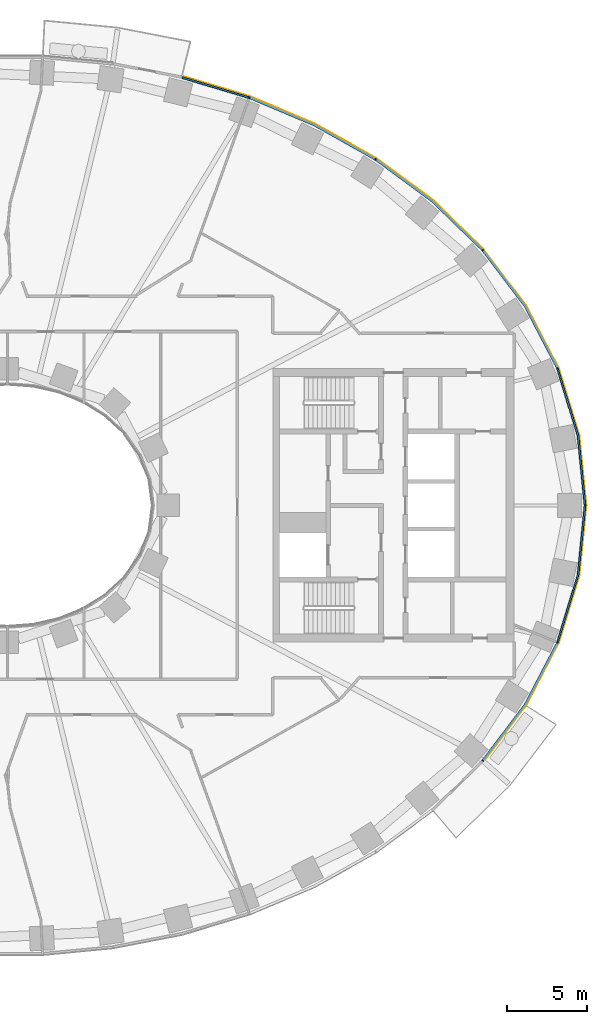
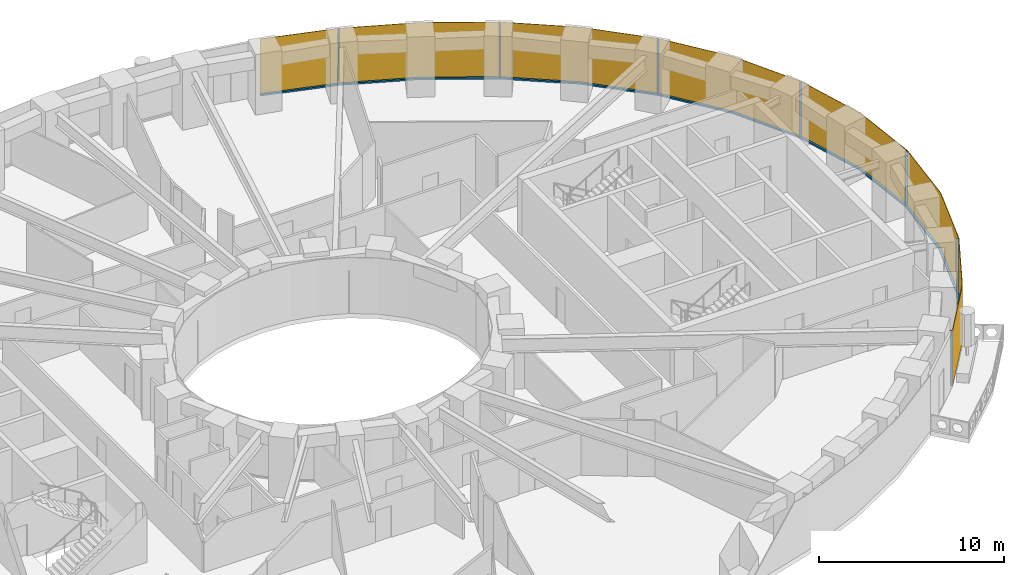
# One storey, part 13 of 16: 14 members, 1 curtain wall.
"""IFC4 building model written with IfcOpenShell, lengths in metres."""

from ifc_helpers import new_model, si_unit, direction, frame, origin, origin_2d, place, context, subcontext, project, spatial, polyline, rectangle, outline, extrude, material, layer, layer_set, material_profile, profile_set, type_object, element, aggregate, save


model = new_model("IFC4")

# Units and contexts
model_context = context("Model", 3, precision=1e-05, world=origin(), true_north=direction((0.0, 1.0)))
body_context = subcontext(model_context, "Body", "Model", "MODEL_VIEW")
ifc_project = project(units=[si_unit("LENGTHUNIT", "METRE"), si_unit("AREAUNIT", "SQUARE_METRE"), si_unit("VOLUMEUNIT", "CUBIC_METRE"), si_unit("PLANEANGLEUNIT", "RADIAN"), si_unit("MASSUNIT", "GRAM", prefix="KILO")], contexts=[model_context])

# Member
ifc_material_1 = material(Name="Aluminium 6063-T6 black anodised", Category="aluminium")
ifc_material_profile = material_profile(ifc_material_1, rectangle(XDim=0.1201171875, YDim=0.06005859375, at=origin_2d()), Name="120x60")
ifc_profile_set = profile_set([ifc_material_profile], Name="Aluminium 6063-T6 black anodised")
member_type_1 = type_object("IfcMemberType", Name="ENV-MULLION-A-120", PredefinedType="MULLION", material=ifc_profile_set)
site_placement = place(None, origin())
building_placement = place(site_placement, origin())
storey_placement = place(building_placement, frame((0.0, 0.0, 46.5)))
member_1_placement = place(storey_placement, frame((29.53857421875, -15.8671875, 0.0), z_axis=(0.0, 0.0, 1.0), x_axis=(-0.749047221705, 0.662516610853, 0.0)))
member_1 = element("IfcMember", 1, at=member_1_placement, type_object=member_type_1, Name="Mullion A radial 43", PredefinedType="MULLION", context=body_context, shape_type="SweptSolid", body=[
    extrude(rectangle(XDim=0.1201171875, YDim=0.06005859375, at=origin_2d()), origin(), (0.0, 0.0, 1.0), 3.699951171875),
])

member_2_placement = place(storey_placement, frame((34.19580078125, -8.513916015625, 0.0), z_axis=(0.0, 0.0, 1.0), x_axis=(-0.92546738067, 0.378827305398, 0.0)))
member_2 = element("IfcMember", 2, at=member_2_placement, type_object=member_type_1, Name="Mullion A radial 45", PredefinedType="MULLION", context=body_context, shape_type="SweptSolid", body=[
    extrude(rectangle(XDim=0.1201171875, YDim=0.06005859375, at=origin_2d()), origin(), (0.0, 0.0, 1.0), 3.699951171875),
])

member_3_placement = place(storey_placement, frame((35.907958984375, 0.0, 0.0), z_axis=(0.0, 0.0, 1.0), x_axis=(-1.0, 0.0, 0.0)))
member_3 = element("IfcMember", 3, at=member_3_placement, type_object=member_type_1, Name="Mullion A radial 01", PredefinedType="MULLION", context=body_context, shape_type="SweptSolid", body=[
    extrude(rectangle(XDim=0.1201171875, YDim=0.06005859375, at=origin_2d()), origin(), (0.0, 0.0, 1.0), 3.699951171875),
])

member_4_placement = place(storey_placement, frame((34.19580078125, 8.513916015625, 0.0), z_axis=(0.0, 0.0, 1.0), x_axis=(-0.92546738067, -0.378827305398, 0.0)))
member_4 = element("IfcMember", 4, at=member_4_placement, type_object=member_type_1, Name="Mullion A radial 03", PredefinedType="MULLION", context=body_context, shape_type="SweptSolid", body=[
    extrude(rectangle(XDim=0.1201171875, YDim=0.06005859375, at=origin_2d()), origin(), (0.0, 0.0, 1.0), 3.699951171875),
])

member_5_placement = place(storey_placement, frame((29.53857421875, 15.8671875, 0.0), z_axis=(0.0, 0.0, 1.0), x_axis=(-0.749047221705, -0.662516610853, 0.0)))
member_5 = element("IfcMember", 5, at=member_5_placement, type_object=member_type_1, Name="Mullion A radial 05", PredefinedType="MULLION", context=body_context, shape_type="SweptSolid", body=[
    extrude(rectangle(XDim=0.1201171875, YDim=0.06005859375, at=origin_2d()), origin(), (0.0, 0.0, 1.0), 3.699951171875),
])

member_6_placement = place(storey_placement, frame((22.882568359375, 21.506591796875, 0.0), z_axis=(0.0, 0.0, 1.0), x_axis=(-0.542279153225, -0.840198381323, 0.0)))
member_6 = element("IfcMember", 6, at=member_6_placement, type_object=member_type_1, Name="Mullion A radial 07", PredefinedType="MULLION", context=body_context, shape_type="SweptSolid", body=[
    extrude(rectangle(XDim=0.1201171875, YDim=0.06005859375, at=origin_2d()), origin(), (0.0, 0.0, 1.0), 3.699951171875),
])

member_7_placement = place(storey_placement, frame((15.0341796875, 25.34375, 0.0), z_axis=(0.0, 0.0, 1.0), x_axis=(-0.338379256581, -0.941009818608, 0.0)))
member_7 = element("IfcMember", 7, at=member_7_placement, type_object=member_type_1, Name="Mullion A radial 09", PredefinedType="MULLION", context=body_context, shape_type="SweptSolid", body=[
    extrude(rectangle(XDim=0.1201171875, YDim=0.06005859375, at=origin_2d()), origin(), (0.0, 0.0, 1.0), 3.699951171875),
])

ifc_material_2 = material(Name="Aluminium 6063-T6 black anodised", Category="aluminium")
member_type_2 = type_object("IfcMemberType", Name="ENV-TRANSOM-A", PredefinedType="USERDEFINED", material=ifc_material_2)
member_8_placement = place(storey_placement, origin())
member_8 = element("IfcMember", 8, at=member_8_placement, type_object=member_type_2, Name="Transom A radial 43-45", ObjectType="TRANSOM", PredefinedType="USERDEFINED", context=body_context, shape_type="SweptSolid", body=[
    extrude(outline(polyline([(29.6005859375, -15.884521484375), (32.22802734375, -12.41748046875), (34.23828125, -8.5615234375), (34.126708984375, -8.515869140625), (32.126220703125, -12.35302734375), (29.51025390625, -15.8046875), (29.6005859375, -15.884521484375)])), origin(), (0.0, 0.0, 1.0), 0.10009765625),
])

member_9_placement = place(storey_placement, origin())
member_9 = element("IfcMember", 9, at=member_9_placement, type_object=member_type_2, Name="Transom A radial 45-01", ObjectType="TRANSOM", PredefinedType="USERDEFINED", context=body_context, shape_type="SweptSolid", body=[
    extrude(outline(polyline([(34.259521484375, -8.509765625), (35.529541015625, -4.352294921875), (35.965087890625, -0.02783203125), (35.844482421875, -0.02783203125), (35.411376953125, -4.32861328125), (34.14794921875, -8.464111328125), (34.259521484375, -8.509765625)])), origin(), (0.0, 0.0, 1.0), 0.10009765625),
])

member_10_placement = place(storey_placement, origin())
member_10 = element("IfcMember", 10, at=member_10_placement, type_object=member_type_2, Name="Transom A radial 01-03", ObjectType="TRANSOM", PredefinedType="USERDEFINED", context=body_context, shape_type="SweptSolid", body=[
    extrude(outline(polyline([(35.965087890625, 0.02783203125), (35.529541015625, 4.352294921875), (34.259521484375, 8.509765625), (34.14794921875, 8.464111328125), (35.411376953125, 4.32861328125), (35.844482421875, 0.02783203125), (35.965087890625, 0.02783203125)])), origin(), (0.0, 0.0, 1.0), 0.10009765625),
])

member_11_placement = place(storey_placement, origin())
member_11 = element("IfcMember", 11, at=member_11_placement, type_object=member_type_2, Name="Transom A radial 03-05", ObjectType="TRANSOM", PredefinedType="USERDEFINED", context=body_context, shape_type="SweptSolid", body=[
    extrude(outline(polyline([(34.23828125, 8.5615234375), (32.22802734375, 12.41748046875), (29.6005859375, 15.884521484375), (29.51025390625, 15.8046875), (32.126220703125, 12.35302734375), (34.126708984375, 8.515869140625), (34.23828125, 8.5615234375)])), origin(), (0.0, 0.0, 1.0), 0.10009765625),
])

member_12_placement = place(storey_placement, origin())
member_12 = element("IfcMember", 12, at=member_12_placement, type_object=member_type_2, Name="Transom A radial 05-07", ObjectType="TRANSOM", PredefinedType="USERDEFINED", context=body_context, shape_type="SweptSolid", body=[
    extrude(outline(polyline([(29.5634765625, 15.926513671875), (26.4423828125, 18.958740234375), (22.937744140625, 21.540283203125), (22.87255859375, 21.439208984375), (26.364501953125, 18.866943359375), (29.473388671875, 15.8466796875), (29.5634765625, 15.926513671875)])), origin(), (0.0, 0.0, 1.0), 0.10009765625),
])

member_13_placement = place(storey_placement, origin())
member_13 = element("IfcMember", 13, at=member_13_placement, type_object=member_type_2, Name="Transom A radial 07-09", ObjectType="TRANSOM", PredefinedType="USERDEFINED", context=body_context, shape_type="SweptSolid", body=[
    extrude(outline(polyline([(22.890625, 21.570556640625), (19.093994140625, 23.701416015625), (15.080322265625, 25.389404296875), (15.03955078125, 25.276123046875), (19.041259765625, 23.593505859375), (22.825439453125, 21.469482421875), (22.890625, 21.570556640625)])), origin(), (0.0, 0.0, 1.0), 0.10009765625),
])

member_14_placement = place(storey_placement, origin())
member_14 = element("IfcMember", 14, at=member_14_placement, type_object=member_type_2, Name="Transom A radial 09-10", ObjectType="TRANSOM", PredefinedType="USERDEFINED", context=body_context, shape_type="SweptSolid", body=[
    extrude(outline(polyline([(15.027587890625, 25.408203125), (10.876708984375, 26.657470703125), (10.847900390625, 26.540771484375), (14.987060546875, 25.295166015625), (15.027587890625, 25.408203125)])), origin(), (0.0, 0.0, 1.0), 0.10009765625),
])

# Site, building, storey
site = spatial("IfcSite", under=ifc_project, at=site_placement, CompositionType="ELEMENT")
building = spatial("IfcBuilding", under=site, at=building_placement, Name="Noorbagh Ring Tower", CompositionType="ELEMENT")
storey = spatial("IfcBuildingStorey", under=building, at=storey_placement, Name="L09", CompositionType="ELEMENT", Elevation=46.5)

# Curtain wall
ifc_material_3 = material(Name="Glass dark tinted laminated", Category="glass")
ifc_layer = layer(ifc_material_3, 0.031982421875)
ifc_layer_set = layer_set([ifc_layer], Name="Glass dark tinted laminated")
curtain_wall_type = type_object("IfcCurtainWallType", Name="ENV-CW-A", PredefinedType="NOTDEFINED", material=ifc_layer_set)
curtain_wall_placement = place(storey_placement, origin())
curtain_wall = element("IfcCurtainWall", 15, at=curtain_wall_placement, inside=storey, type_object=curtain_wall_type, Name="Curtain wall A R43", PredefinedType="NOTDEFINED", context=body_context, shape_type="SweptSolid", body=[
    extrude(outline(polyline([(29.61962890625, -15.912109375), (32.255126953125, -12.434814453125), (34.281005859375, -8.548828125), (35.561279296875, -4.358642578125), (36.0, 0.0), (35.561279296875, 4.358642578125), (34.281005859375, 8.548828125), (32.255126953125, 12.434814453125), (29.607666015625, 15.927978515625), (26.463134765625, 18.9833984375), (22.9326171875, 21.583740234375), (19.108154296875, 23.730224609375), (15.065185546875, 25.430419921875), (10.884521484375, 26.6884765625), (10.876708984375, 26.657470703125), (15.054443359375, 25.400146484375), (19.093994140625, 23.701416015625), (22.9150390625, 21.556884765625), (26.4423828125, 18.958740234375), (29.58349609375, 15.906982421875), (32.22802734375, 12.41748046875), (34.251220703125, 8.53662109375), (35.529541015625, 4.352294921875), (35.9677734375, 0.0), (35.529541015625, -4.352294921875), (34.251220703125, -8.53662109375), (32.22802734375, -12.41748046875), (29.595703125, -15.890869140625), (29.61962890625, -15.912109375)])), origin(), (0.0, 0.0, 1.0), 3.699951171875),
])

aggregate(curtain_wall, [member_1, member_2, member_3, member_4, member_5, member_6, member_7, member_8, member_9, member_10, member_11, member_12, member_13, member_14])

save(model, "model.ifc")
